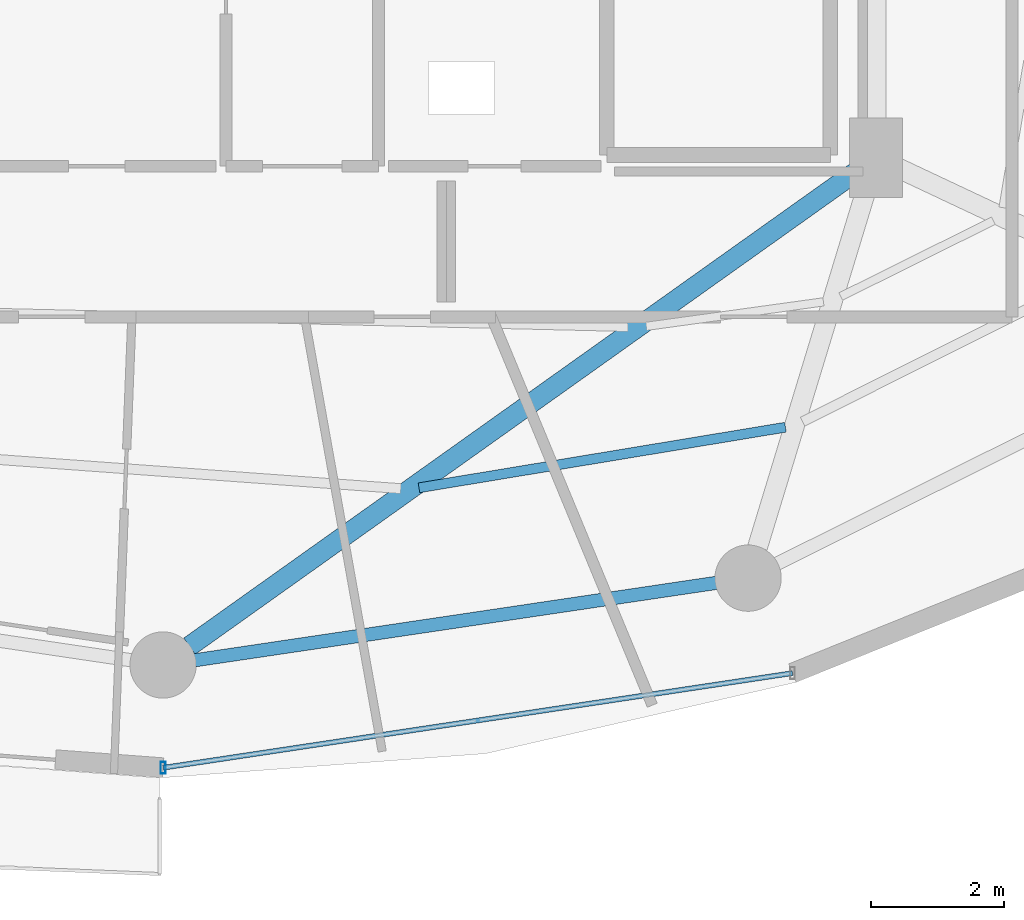
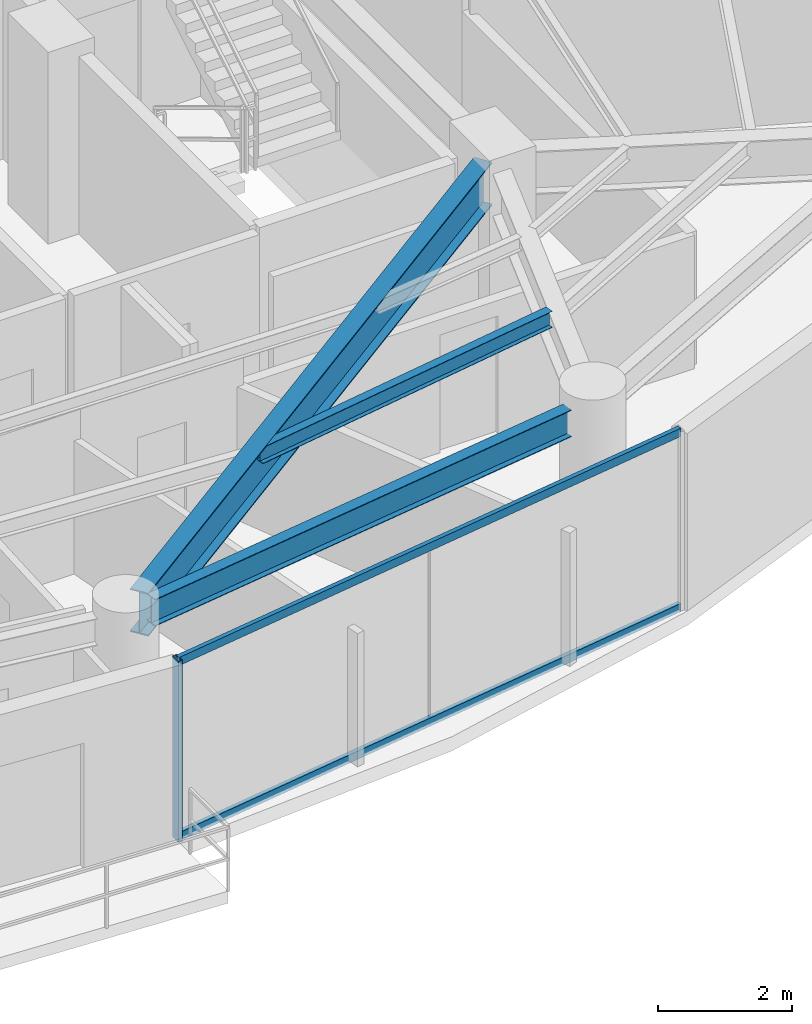
# One storey, part 5 of 28: 3 beams, 3 members, 1 element without a shape of its own.
"""IFC4 building model written with IfcOpenShell, lengths in metres."""

from ifc_helpers import new_model, si_unit, direction, frame, origin, origin_2d, place, context, subcontext, project, spatial, hollow_rectangle, i_section, extrude, material, material_profile, profile_set, type_object, element, aggregate, save


model = new_model("IFC4")

# Units and contexts
model_context = context("Model", 3, precision=1e-05, world=origin(), true_north=direction((0.0, 1.0)))
body_context = subcontext(model_context, "Body", "Model", "MODEL_VIEW")
ifc_project = project(units=[si_unit("LENGTHUNIT", "METRE"), si_unit("AREAUNIT", "SQUARE_METRE"), si_unit("VOLUMEUNIT", "CUBIC_METRE"), si_unit("PLANEANGLEUNIT", "RADIAN"), si_unit("MASSUNIT", "GRAM", prefix="KILO")], contexts=[model_context])

# Site, building, storey
site_placement = place(None, origin())
site = spatial("IfcSite", under=ifc_project, at=site_placement, CompositionType="ELEMENT")
building_placement = place(site_placement, origin())
building = spatial("IfcBuilding", under=site, at=building_placement, Name="Vorneva Point Tower", CompositionType="ELEMENT")
storey_placement = place(building_placement, frame((0.0, 0.0, 146.60009765625)))
storey = spatial("IfcBuildingStorey", under=building, at=storey_placement, Name="L39", CompositionType="ELEMENT", Elevation=146.60009765625)

# Beams
ifc_material_1 = material(Name="Steel S355", Category="steel")
ifc_material_profile_1 = material_profile(ifc_material_1, i_section(OverallWidth=0.300048828125, OverallDepth=0.7880859375, WebThickness=0.014404296875, FlangeThickness=0.02197265625, at=origin_2d()), Name="80Sh1")
ifc_profile_set_1 = profile_set([ifc_material_profile_1], Name="Steel S355")
beam_type_1 = type_object("IfcBeamType", Name="BM-GRD-80Sh1", PredefinedType="USERDEFINED", material=ifc_profile_set_1)
beam_1_placement = place(storey_placement, frame((38.397705078125, 9.0830078125, 2.845947265625), z_axis=(0.814751382529, 0.579810473057, 0.0), x_axis=(-0.579810473057, 0.814751382529, 0.0)))
element("IfcBeam", 1, at=beam_1_placement, inside=storey, type_object=beam_type_1, Name="L39 Radial Primary Girder 13", ObjectType="GIRDER", PredefinedType="USERDEFINED", context=body_context, shape_type="SweptSolid", body=[
    extrude(i_section(OverallWidth=0.300048828125, OverallDepth=0.7880859375, WebThickness=0.014404296875, FlangeThickness=0.02197265625, at=origin_2d()), origin(), (0.0, 0.0, 1.0), 12.365966796875),
])
ifc_material_profile_2 = material_profile(ifc_material_1, i_section(OverallWidth=0.14892578125, OverallDepth=0.298095703125, WebThickness=0.005615234375, FlangeThickness=0.008056640625, at=origin_2d()), Name="30B1")
ifc_profile_set_2 = profile_set([ifc_material_profile_2], Name="Steel S355")
beam_type_2 = type_object("IfcBeamType", Name="BM-JST-30B1", PredefinedType="JOIST", material=ifc_profile_set_2)
beam_2_placement = place(storey_placement, frame((41.858642578125, 11.471435546875, 3.0908203125), z_axis=(0.986611034558, 0.163090976107, 0.0), x_axis=(-0.163090976107, 0.986611034558, 0.0)))
element("IfcBeam", 2, at=beam_2_placement, inside=storey, type_object=beam_type_2, Name="L39 Secondary Floor Beam 1.13", PredefinedType="JOIST", context=body_context, shape_type="SweptSolid", body=[
    extrude(i_section(OverallWidth=0.14892578125, OverallDepth=0.298095703125, WebThickness=0.005615234375, FlangeThickness=0.008056640625, at=origin_2d()), origin(), (0.0, 0.0, 1.0), 5.60009765625),
])
ifc_material_profile_3 = material_profile(ifc_material_1, i_section(OverallWidth=0.199951171875, OverallDepth=0.491943359375, WebThickness=0.0087890625, FlangeThickness=0.011962890625, at=origin_2d()), Name="50B1")
ifc_profile_set_3 = profile_set([ifc_material_profile_3], Name="Steel S355")
beam_type_3 = type_object("IfcBeamType", Name="BM-SPN-50B1", PredefinedType="SPANDREL", material=ifc_profile_set_3)
beam_3_placement = place(storey_placement, frame((38.479736328125, 8.87109375, 2.993896484375), z_axis=(0.989161199046, 0.146833655211, 0.0), x_axis=(-0.146833655211, 0.989161199046, 0.0)))
element("IfcBeam", 3, at=beam_3_placement, inside=storey, type_object=beam_type_3, Name="L39 Perimeter Spandrel Ring Beam 13", PredefinedType="SPANDREL", context=body_context, shape_type="SweptSolid", body=[
    extrude(i_section(OverallWidth=0.199951171875, OverallDepth=0.491943359375, WebThickness=0.0087890625, FlangeThickness=0.011962890625, at=origin_2d()), origin(), (0.0, 0.0, 1.0), 7.94775390625),
])

# Curtain wall, members
ifc_material_2 = material(Name="Pale anodised aluminium", Category="aluminium")
curtain_wall_type = type_object("IfcCurtainWallType", Name="CW-RES-SYS", PredefinedType="NOTDEFINED", material=ifc_material_2)
curtain_wall_placement = place(storey_placement, origin())
curtain_wall = element("IfcCurtainWall", 4, at=curtain_wall_placement, inside=storey, type_object=curtain_wall_type, Name="L39 Unitised Curtain Wall CW-L39-R03", PredefinedType="NOTDEFINED")
ifc_material_profile_4 = material_profile(ifc_material_2, hollow_rectangle(XDim=0.074951171875, YDim=0.179931640625, WallThickness=0.00390625, at=origin_2d()), Name="AL-MUL 180x75x4")
ifc_profile_set_4 = profile_set([ifc_material_profile_4], Name="Pale anodised aluminium")
member_type_1 = type_object("IfcMemberType", Name="CW-MUL-180", PredefinedType="MULLION", material=ifc_profile_set_4)
member_1_placement = place(storey_placement, frame((38.0, 7.25, -0.0400390625), z_axis=(0.0, 0.0, 1.0), x_axis=(1.0, 0.0, 0.0)))
member_1 = element("IfcMember", 5, at=member_1_placement, type_object=member_type_1, Name="CW-L39-R03 Mullion 01", PredefinedType="MULLION", context=body_context, shape_type="SweptSolid", body=[
    extrude(hollow_rectangle(XDim=0.074951171875, YDim=0.179931640625, WallThickness=0.00390625, at=origin_2d()), origin(), (0.0, 0.0, 1.0), 3.31005859375),
])
ifc_material_profile_5 = material_profile(ifc_material_2, hollow_rectangle(XDim=0.074951171875, YDim=0.14990234375, WallThickness=0.00390625, at=origin_2d()), Name="AL-TRN 150x75x4")
ifc_profile_set_5 = profile_set([ifc_material_profile_5], Name="Pale anodised aluminium")
member_type_2 = type_object("IfcMemberType", Name="CW-TRN-150", PredefinedType="USERDEFINED", material=ifc_profile_set_5)
member_2_placement = place(storey_placement, frame((38.0, 7.25, 0.02001953125), z_axis=(0.988880117727, 0.148714870687, 0.0), x_axis=(-0.148714870687, 0.988880117727, 0.0)))
member_2 = element("IfcMember", 6, at=member_2_placement, type_object=member_type_2, Name="CW-L39-R03 Transom 01.1", ObjectType="TRANSOM", PredefinedType="USERDEFINED", context=body_context, shape_type="SweptSolid", body=[
    extrude(hollow_rectangle(XDim=0.074951171875, YDim=0.14990234375, WallThickness=0.00390625, at=origin_2d()), origin(), (0.0, 0.0, 1.0), 9.59716796875),
])
member_3_placement = place(storey_placement, frame((38.0, 7.25, 3.219970703125), z_axis=(0.988880117727, 0.148714870687, 0.0), x_axis=(-0.148714870687, 0.988880117727, 0.0)))
member_3 = element("IfcMember", 7, at=member_3_placement, type_object=member_type_2, Name="CW-L39-R03 Transom 01.2", ObjectType="TRANSOM", PredefinedType="USERDEFINED", context=body_context, shape_type="SweptSolid", body=[
    extrude(hollow_rectangle(XDim=0.074951171875, YDim=0.14990234375, WallThickness=0.00390625, at=origin_2d()), origin(), (0.0, 0.0, 1.0), 9.59716796875),
])
aggregate(curtain_wall, [member_1, member_2, member_3])

save(model, "model.ifc")
